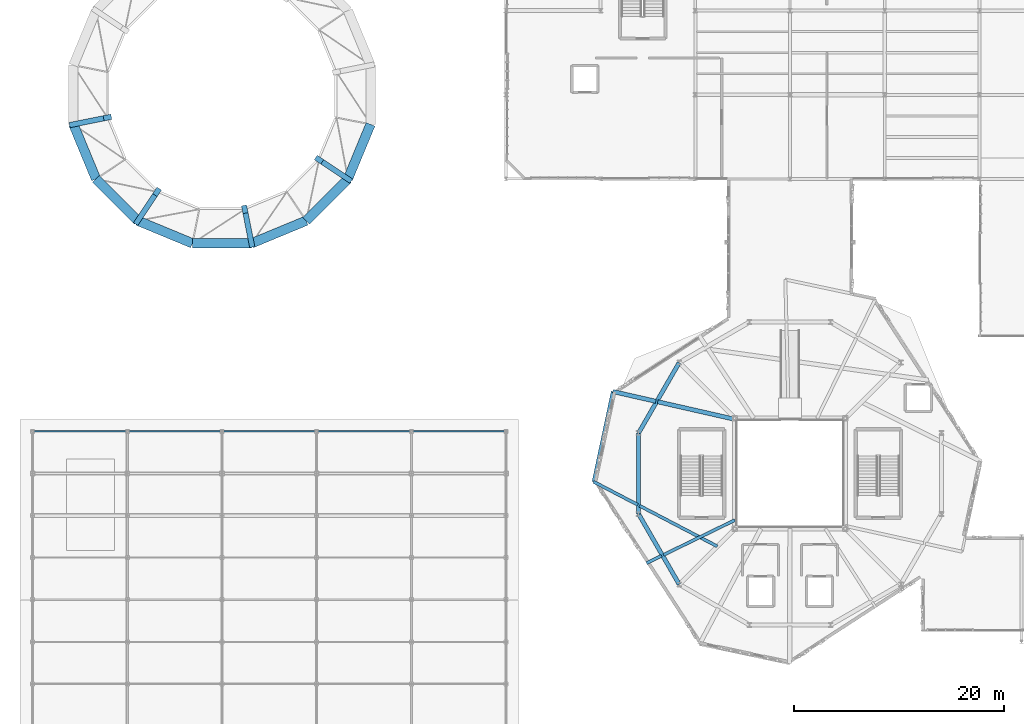
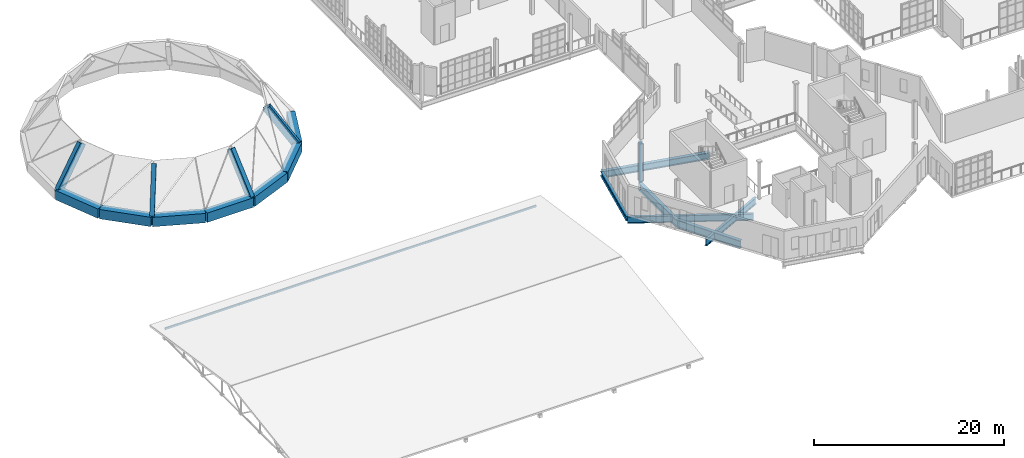
# One storey, part 23 of 118: 21 beams, 5 members.
"""IFC4 building model written with IfcOpenShell, lengths in metres."""

from ifc_helpers import new_model, si_unit, direction, frame, origin, origin_2d, place, context, subcontext, project, spatial, rectangle, hollow_rectangle, i_section, extrude, material, material_profile, profile_set, type_object, element, save


model = new_model("IFC4")

# Units and contexts
model_context = context("Model", 3, precision=1e-05, world=origin(), true_north=direction((0.0, 1.0)))
body_context = subcontext(model_context, "Body", "Model", "MODEL_VIEW")
ifc_project = project(units=[si_unit("LENGTHUNIT", "METRE"), si_unit("AREAUNIT", "SQUARE_METRE"), si_unit("VOLUMEUNIT", "CUBIC_METRE"), si_unit("PLANEANGLEUNIT", "RADIAN"), si_unit("MASSUNIT", "GRAM", prefix="KILO"), si_unit("THERMODYNAMICTEMPERATUREUNIT", "KELVIN"), si_unit("POWERUNIT", "WATT")], contexts=[model_context])

# Site, building, storey
site_placement = place(None, origin())
site = spatial("IfcSite", under=ifc_project, at=site_placement, CompositionType="ELEMENT")
building_placement = place(site_placement, origin())
building = spatial("IfcBuilding", under=site, at=building_placement, Name="Zelmaris Science Centre", CompositionType="ELEMENT")
storey_placement = place(building_placement, frame((0.0, 0.0, 15.60009765625)))
storey = spatial("IfcBuildingStorey", under=building, at=storey_placement, Name="L03", CompositionType="ELEMENT", Elevation=15.60009765625)

# Beams
ifc_material_1 = material(Name="Steel ASTM A992 Grade 50", Category="steel")
ifc_material_profile_1 = material_profile(ifc_material_1, i_section(OverallWidth=0.294921875, OverallDepth=0.85107421875, WebThickness=0.01611328125, FlangeThickness=0.02685546875, FilletRadius=0.02001953125, at=origin_2d()), Name="W33X152")
ifc_profile_set_1 = profile_set([ifc_material_profile_1], Name="Steel ASTM A992 Grade 50")
beam_type_1 = type_object("IfcBeamType", Name="Beam G-06 W33X152", PredefinedType="BEAM", material=ifc_profile_set_1)
beam_1_placement = place(storey_placement, frame((74.077880859375, 29.077880859375, -0.70556640625), z_axis=(-0.886346515239, 0.463022520968, 0.0), x_axis=(-0.463022520968, -0.886346515239, 0.0)))
element("IfcBeam", 1, at=beam_1_placement, inside=storey, type_object=beam_type_1, Name="L03 Overhang back-span girder 10", PredefinedType="BEAM", context=body_context, shape_type="SweptSolid", body=[
    extrude(i_section(OverallWidth=0.294921875, OverallDepth=0.85107421875, WebThickness=0.01611328125, FlangeThickness=0.02685546875, FilletRadius=0.02001953125, at=origin_2d()), origin(), (0.0, 0.0, 1.0), 8.3330078125),
])
beam_2_placement = place(storey_placement, frame((66.5234375, 33.0244140625, -0.70556640625), z_axis=(-0.886339670301, 0.463035623739, 0.0), x_axis=(-0.463035623739, -0.886339670301, 0.0)))
element("IfcBeam", 2, at=beam_2_placement, inside=storey, type_object=beam_type_1, Name="L03 Radial overhang girder 10", PredefinedType="BEAM", context=body_context, shape_type="SweptSolid", body=[
    extrude(i_section(OverallWidth=0.294921875, OverallDepth=0.85107421875, WebThickness=0.01611328125, FlangeThickness=0.02685546875, FilletRadius=0.02001953125, at=origin_2d()), origin(), (0.0, 0.0, 1.0), 4.725341796875),
])
ifc_material_profile_2 = material_profile(ifc_material_1, i_section(OverallWidth=0.40087890625, OverallDepth=1.0009765625, WebThickness=0.01904296875, FlangeThickness=0.0361328125, FilletRadius=0.02490234375, at=origin_2d()), Name="W40X249")
ifc_profile_set_2 = profile_set([ifc_material_profile_2], Name="Steel ASTM A992 Grade 50")
beam_type_2 = type_object("IfcBeamType", Name="Beam G-22 W40X249", PredefinedType="BEAM", material=ifc_profile_set_2)
for number, where, z_axis, x_axis, name in (
    (3, (70.464111328125, 46.535888671875, -0.780517578125), (-0.500006504531, -0.866021648359, 0.0), (0.866021648359, -0.500006504531, 0.0), "L03 Exhibition inner ring girder 5"),
    (4, (66.607666015625, 39.8564453125, -0.780517578125), (0.0, -1.0, 0.0), (1.0, 0.0, 0.0), "L03 Exhibition inner ring girder 6"),
    (5, (66.607666015625, 32.1435546875, -0.780517578125), (0.500006504531, -0.866021648359, 0.0), (0.866021648359, 0.500006504531, 0.0), "L03 Exhibition inner ring girder 7"),
):
    element("IfcBeam", number, at=place(storey_placement, frame(where, z_axis=z_axis, x_axis=x_axis)), inside=storey, type_object=beam_type_2, Name=name, PredefinedType="BEAM", context=body_context, shape_type="SweptSolid", body=[
        extrude(i_section(OverallWidth=0.40087890625, OverallDepth=1.0009765625, WebThickness=0.01904296875, FlangeThickness=0.0361328125, FilletRadius=0.02490234375, at=origin_2d()), origin(), (0.0, 0.0, 1.0), 7.712890625),
    ])
ifc_material_profile_3 = material_profile(ifc_material_1, i_section(OverallWidth=0.404052734375, OverallDepth=0.861083984375, WebThickness=0.019775390625, FlangeThickness=0.032470703125, FilletRadius=0.02001953125, at=origin_2d()), Name="W33X221")
ifc_profile_set_3 = profile_set([ifc_material_profile_3], Name="Steel ASTM A992 Grade 50")
beam_type_3 = type_object("IfcBeamType", Name="Beam G-28 W33X221", PredefinedType="BEAM", material=ifc_profile_set_3)
beam_3_placement = place(storey_placement, frame((75.728515625, 41.156005859375, -0.710693359375), z_axis=(-0.975070402167, 0.221895720593, 0.0), x_axis=(-0.221895720593, -0.975070402167, 0.0)))
element("IfcBeam", 6, at=beam_3_placement, inside=storey, type_object=beam_type_3, Name="L03 Overhang back-span girder 9", PredefinedType="BEAM", context=body_context, shape_type="SweptSolid", body=[
    extrude(i_section(OverallWidth=0.404052734375, OverallDepth=0.861083984375, WebThickness=0.019775390625, FlangeThickness=0.032470703125, FilletRadius=0.02001953125, at=origin_2d()), origin(), (0.0, 0.0, 1.0), 7.49267578125),
])
beam_4_placement = place(storey_placement, frame((68.237548828125, 42.86083984375, -0.710693359375), z_axis=(-0.975076072567, 0.221870801837, 0.0), x_axis=(-0.221870801837, -0.975076072567, 0.0)))
element("IfcBeam", 7, at=beam_4_placement, inside=storey, type_object=beam_type_3, Name="L03 Radial overhang girder 9", PredefinedType="BEAM", context=body_context, shape_type="SweptSolid", body=[
    extrude(i_section(OverallWidth=0.404052734375, OverallDepth=0.861083984375, WebThickness=0.019775390625, FlangeThickness=0.032470703125, FilletRadius=0.02001953125, at=origin_2d()), origin(), (0.0, 0.0, 1.0), 4.18359375),
])
ifc_material_profile_4 = material_profile(ifc_material_1, i_section(OverallWidth=0.2919921875, OverallDepth=0.85888671875, WebThickness=0.01708984375, FlangeThickness=0.031005859375, FilletRadius=0.02001953125, at=origin_2d()), Name="W33X169")
ifc_profile_set_4 = profile_set([ifc_material_profile_4], Name="Steel ASTM A992 Grade 50")
beam_type_4 = type_object("IfcBeamType", Name="Beam G-29 W33X169", PredefinedType="BEAM", material=ifc_profile_set_4)
beam_5_placement = place(storey_placement, frame((75.75, 31.568359375, -0.709716796875), z_axis=(-0.898773415787, -0.438413443081, 0.0), x_axis=(0.438413443081, -0.898773415787, 0.0)))
element("IfcBeam", 8, at=beam_5_placement, inside=storey, type_object=beam_type_4, Name="L03 Overhang back-span girder 11", PredefinedType="BEAM", context=body_context, shape_type="SweptSolid", body=[
    extrude(i_section(OverallWidth=0.2919921875, OverallDepth=0.85888671875, WebThickness=0.01708984375, FlangeThickness=0.031005859375, FilletRadius=0.02001953125, at=origin_2d()), origin(), (0.0, 0.0, 1.0), 7.553466796875),
])
beam_6_placement = place(storey_placement, frame((68.790283203125, 28.173583984375, -0.709716796875), z_axis=(-0.898740437997, -0.438481043043, 0.0), x_axis=(0.438481043043, -0.898740437997, 0.0)))
element("IfcBeam", 9, at=beam_6_placement, inside=storey, type_object=beam_type_4, Name="L03 Radial overhang girder 11", PredefinedType="BEAM", context=body_context, shape_type="SweptSolid", body=[
    extrude(i_section(OverallWidth=0.2919921875, OverallDepth=0.85888671875, WebThickness=0.01708984375, FlangeThickness=0.031005859375, FilletRadius=0.02001953125, at=origin_2d()), origin(), (0.0, 0.0, 1.0), 1.591796875),
])
ifc_material_profile_5 = material_profile(ifc_material_1, i_section(OverallWidth=0.324951171875, OverallDepth=0.612060546875, WebThickness=0.0126953125, FlangeThickness=0.01904296875, FilletRadius=0.014892578125, at=origin_2d()), Name="W24X104")
ifc_profile_set_5 = profile_set([ifc_material_profile_5], Name="Steel ASTM A992 Grade 50")
beam_type_5 = type_object("IfcBeamType", Name="Beam SP-01 W24X104", PredefinedType="SPANDREL", material=ifc_profile_set_5)
beam_7_placement = place(storey_placement, frame((64.158203125, 43.7890625, -0.586181640625), z_axis=(-0.207908706824, -0.978148234997, 0.0), x_axis=(0.978148234997, -0.207908706824, 0.0)))
element("IfcBeam", 10, at=beam_7_placement, inside=storey, type_object=beam_type_5, Name="L03 Rotated facade spandrel beam 3", PredefinedType="SPANDREL", context=body_context, shape_type="SweptSolid", body=[
    extrude(i_section(OverallWidth=0.324951171875, OverallDepth=0.612060546875, WebThickness=0.0126953125, FlangeThickness=0.01904296875, FilletRadius=0.014892578125, at=origin_2d()), origin(), (0.0, 0.0, 1.0), 8.768310546875),
])
ifc_material_2 = material(Name="Concrete C40/50", Category="concrete")
ifc_material_profile_6 = material_profile(ifc_material_2, rectangle(XDim=0.5, YDim=0.89990234375, at=origin_2d()), Name="RC-RIB-500X900")
ifc_profile_set_6 = profile_set([ifc_material_profile_6], Name="Concrete C40/50")
beam_type_6 = type_object("IfcBeamType", Name="Dome Rib RC-RIB-500X900", PredefinedType="BEAM", material=ifc_profile_set_6)
beam_8_placement = place(storey_placement, frame((12.876708984375, 69.190673828125, -0.47998046875), z_axis=(0.555656201573, 0.110527676212, 0.824032656176), x_axis=(-0.195091656081, 0.98078501504, 0.0)))
element("IfcBeam", 11, at=beam_8_placement, inside=storey, type_object=beam_type_6, Name="Planetarium dome meridional rib 5 segment 1", PredefinedType="BEAM", context=body_context, shape_type="SweptSolid", body=[
    extrude(rectangle(XDim=0.5, YDim=0.89990234375, at=origin_2d()), origin(), (0.0, 0.0, 1.0), 5.82470703125),
])
beam_9_placement = place(storey_placement, frame((18.999755859375, 60.02685546875, -0.47998046875), z_axis=(0.314771739115, 0.471067852985, 0.824022954861), x_axis=(-0.831457983046, 0.555587637038, 0.0)))
element("IfcBeam", 12, at=beam_9_placement, inside=storey, type_object=beam_type_6, Name="Planetarium dome meridional rib 6 segment 1", PredefinedType="BEAM", context=body_context, shape_type="SweptSolid", body=[
    extrude(rectangle(XDim=0.5, YDim=0.89990234375, at=origin_2d()), origin(), (0.0, 0.0, 1.0), 5.824951171875),
])
beam_10_placement = place(storey_placement, frame((29.809326171875, 57.876708984375, -0.47998046875), z_axis=(-0.110527676212, 0.555656201573, 0.824032656176), x_axis=(-0.98078501504, -0.195091656081, 0.0)))
element("IfcBeam", 13, at=beam_10_placement, inside=storey, type_object=beam_type_6, Name="Planetarium dome meridional rib 7 segment 1", PredefinedType="BEAM", context=body_context, shape_type="SweptSolid", body=[
    extrude(rectangle(XDim=0.5, YDim=0.89990234375, at=origin_2d()), origin(), (0.0, 0.0, 1.0), 5.82470703125),
])
beam_11_placement = place(storey_placement, frame((38.97314453125, 63.999755859375, -0.47998046875), z_axis=(-0.471067852985, 0.314771739115, 0.824022954861), x_axis=(-0.555587637038, -0.831457983046, 0.0)))
element("IfcBeam", 14, at=beam_11_placement, inside=storey, type_object=beam_type_6, Name="Planetarium dome meridional rib 8 segment 1", PredefinedType="BEAM", context=body_context, shape_type="SweptSolid", body=[
    extrude(rectangle(XDim=0.5, YDim=0.89990234375, at=origin_2d()), origin(), (0.0, 0.0, 1.0), 5.824951171875),
])

# Members
ifc_material_3 = material(Name="Steel ASTM A500 Grade C", Category="steel")
ifc_material_profile_7 = material_profile(ifc_material_3, hollow_rectangle(XDim=0.15234375, YDim=0.25390625, WallThickness=0.0087890625, InnerFilletRadius=0.0087890625, OuterFilletRadius=0.017822265625, at=origin_2d()), Name="HSS254X152X10")
ifc_profile_set_7 = profile_set([ifc_material_profile_7], Name="Steel ASTM A500 Grade C")
member_type = type_object("IfcMemberType", Name="Roof Purlin PR-01 HSS254X152X10", PredefinedType="PURLIN", material=ifc_profile_set_7)
for number, where, z_axis, x_axis, name in (
    (15, (9.0, 40.0, 1.065185546875), (1.0, 0.0, 0.0), (0.0, 1.0, 0.0), "RF-V3 Roof purlin 9"),
    (16, (18.0, 40.0, 1.065185546875), (1.0, 0.0, 0.0), (0.0, 1.0, 0.0), "RF-V3 Roof purlin 18"),
    (17, (27.0, 40.0, 1.065185546875), (1.0, 0.0, 0.0), (0.0, 1.0, 0.0), "RF-V3 Roof purlin 27"),
    (18, (36.0, 40.0, 1.065185546875), (1.0, 0.0, 0.0), (0.0, 1.0, 0.0), "RF-V3 Roof purlin 36"),
    (19, (45.0, 40.0, 1.065185546875), (1.0, 0.0, 0.0), (0.0, 1.0, 0.0), "RF-V3 Roof purlin 45"),
):
    element("IfcMember", number, at=place(storey_placement, frame(where, z_axis=z_axis, x_axis=x_axis)), inside=storey, type_object=member_type, Name=name, PredefinedType="PURLIN", context=body_context, shape_type="SweptSolid", body=[
        extrude(hollow_rectangle(XDim=0.15234375, YDim=0.25390625, WallThickness=0.0087890625, InnerFilletRadius=0.0087890625, OuterFilletRadius=0.017822265625, at=origin_2d()), origin(), (0.0, 0.0, 1.0), 9.0),
    ])

# Beams
ifc_material_profile_8 = material_profile(ifc_material_2, rectangle(XDim=0.89990234375, YDim=1.199951171875, at=origin_2d()), Name="RC-RING-900X1200")
ifc_profile_set_8 = profile_set([ifc_material_profile_8], Name="Concrete C40/50")
beam_type_7 = type_object("IfcBeamType", Name="Tension Ring Beam RC-RING-900X1200", PredefinedType="SPANDREL", material=ifc_profile_set_8)
beam_12_placement = place(storey_placement, frame((12.876708984375, 69.190673828125, -0.60009765625), z_axis=(0.38268310735, -0.923879667137, 0.0), x_axis=(0.923879667137, 0.38268310735, 0.0)))
element("IfcBeam", 20, at=beam_12_placement, inside=storey, type_object=beam_type_7, Name="Planetarium dome tension ring beam 9", PredefinedType="SPANDREL", context=body_context, shape_type="SweptSolid", body=[
    extrude(rectangle(XDim=0.89990234375, YDim=1.199951171875, at=origin_2d()), origin(), (0.0, 0.0, 1.0), 5.61865234375),
])
beam_13_placement = place(storey_placement, frame((15.02685546875, 63.999755859375, -0.60009765625), z_axis=(0.707106781187, -0.707106781187, 0.0), x_axis=(0.707106781187, 0.707106781187, 0.0)))
element("IfcBeam", 21, at=beam_13_placement, inside=storey, type_object=beam_type_7, Name="Planetarium dome tension ring beam 10", PredefinedType="SPANDREL", context=body_context, shape_type="SweptSolid", body=[
    extrude(rectangle(XDim=0.89990234375, YDim=1.199951171875, at=origin_2d()), origin(), (0.0, 0.0, 1.0), 5.618408203125),
])
for number, where, z_axis, x_axis, name in (
    (22, (18.999755859375, 60.02685546875, -0.60009765625), (0.923879667137, -0.38268310735, 0.0), (0.38268310735, 0.923879667137, 0.0), "Planetarium dome tension ring beam 11"),
    (23, (24.190673828125, 57.876708984375, -0.60009765625), (1.0, 0.0, 0.0), (0.0, 1.0, 0.0), "Planetarium dome tension ring beam 12"),
    (24, (29.809326171875, 57.876708984375, -0.60009765625), (0.923879667137, 0.38268310735, 0.0), (-0.38268310735, 0.923879667137, 0.0), "Planetarium dome tension ring beam 13"),
):
    element("IfcBeam", number, at=place(storey_placement, frame(where, z_axis=z_axis, x_axis=x_axis)), inside=storey, type_object=beam_type_7, Name=name, PredefinedType="SPANDREL", context=body_context, shape_type="SweptSolid", body=[
        extrude(rectangle(XDim=0.89990234375, YDim=1.199951171875, at=origin_2d()), origin(), (0.0, 0.0, 1.0), 5.61865234375),
    ])
beam_14_placement = place(storey_placement, frame((35.000244140625, 60.02685546875, -0.60009765625), z_axis=(0.707106781187, 0.707106781187, 0.0), x_axis=(-0.707106781187, 0.707106781187, 0.0)))
element("IfcBeam", 25, at=beam_14_placement, inside=storey, type_object=beam_type_7, Name="Planetarium dome tension ring beam 14", PredefinedType="SPANDREL", context=body_context, shape_type="SweptSolid", body=[
    extrude(rectangle(XDim=0.89990234375, YDim=1.199951171875, at=origin_2d()), origin(), (0.0, 0.0, 1.0), 5.618408203125),
])
beam_15_placement = place(storey_placement, frame((38.97314453125, 63.999755859375, -0.60009765625), z_axis=(0.38268310735, 0.923879667137, 0.0), x_axis=(-0.923879667137, 0.38268310735, 0.0)))
element("IfcBeam", 26, at=beam_15_placement, inside=storey, type_object=beam_type_7, Name="Planetarium dome tension ring beam 15", PredefinedType="SPANDREL", context=body_context, shape_type="SweptSolid", body=[
    extrude(rectangle(XDim=0.89990234375, YDim=1.199951171875, at=origin_2d()), origin(), (0.0, 0.0, 1.0), 5.61865234375),
])

save(model, "model.ifc")
